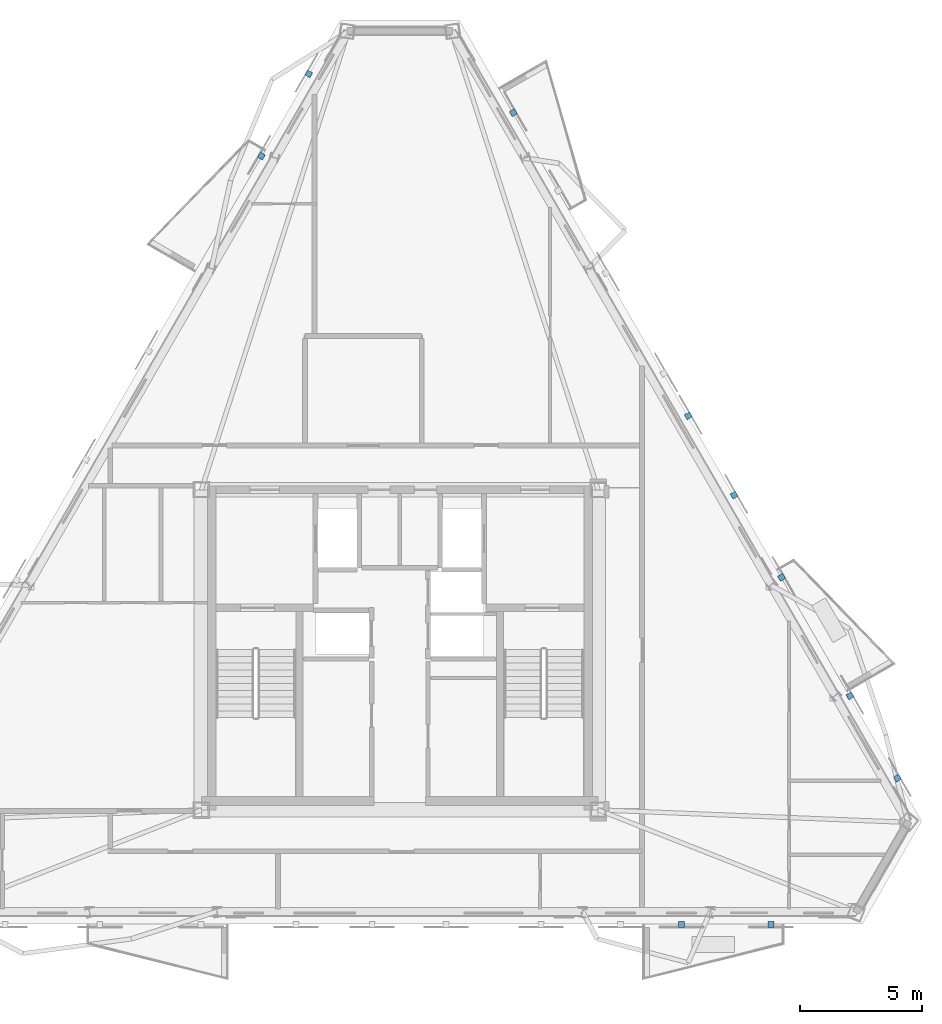
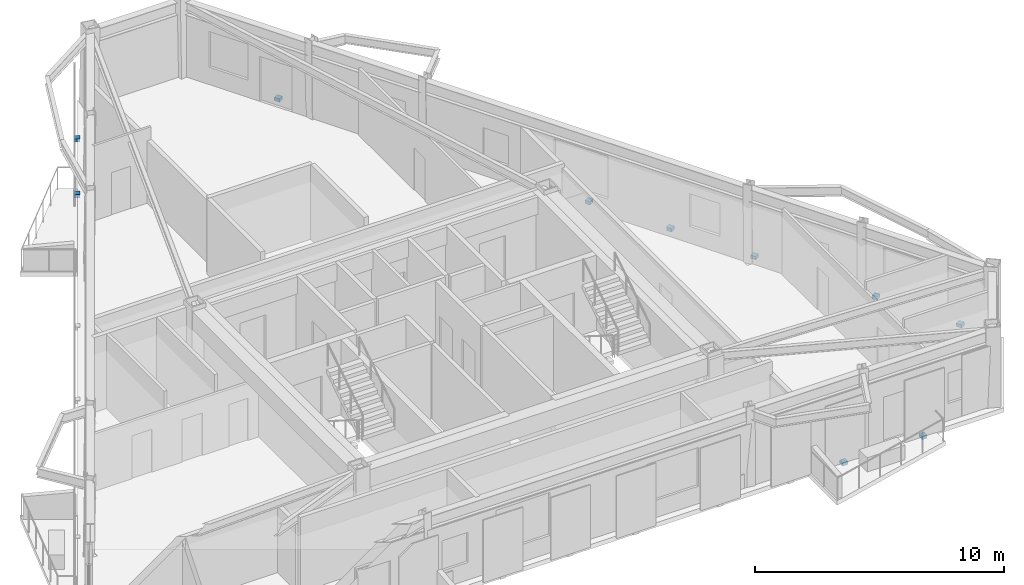
# One storey, part 6 of 9: 10 discrete accessories.
"""IFC4 building model written with IfcOpenShell, lengths in metres."""

from ifc_helpers import new_model, si_unit, direction, frame, origin, origin_2d, place, context, subcontext, project, spatial, rectangle, extrude, element, save


model = new_model("IFC4")

# Units and contexts
model_context = context("Model", 3, precision=1e-05, world=origin(), true_north=direction((0.0, 1.0)))
body_context = subcontext(model_context, "Body", "Model", "MODEL_VIEW")
ifc_project = project(units=[si_unit("LENGTHUNIT", "METRE"), si_unit("AREAUNIT", "SQUARE_METRE"), si_unit("VOLUMEUNIT", "CUBIC_METRE"), si_unit("PLANEANGLEUNIT", "RADIAN"), si_unit("MASSUNIT", "GRAM", prefix="KILO")], contexts=[model_context])

# Site, building, storey
site_placement = place(None, origin())
site = spatial("IfcSite", under=ifc_project, at=site_placement, CompositionType="ELEMENT")
building_placement = place(site_placement, origin())
building = spatial("IfcBuilding", under=site, at=building_placement, Name="Oramaril Tower", CompositionType="ELEMENT")
storey_placement = place(building_placement, frame((0.0, 0.0, 285.0)))
storey = spatial("IfcBuildingStorey", under=building, at=storey_placement, Name="L75", CompositionType="ELEMENT", Elevation=285.0)

# Discrete accessories
for number, where, z_axis, x_axis, name in (
    (1, (49.076904296875, 6.289794921875, -0.14013671875), (0.0, 0.0, 1.0), (1.0, 0.0, 0.0), "L75 Solar Screen Slab Bracket"),
    (2, (52.75048828125, 6.289794921875, -0.14013671875), (0.0, 0.0, 1.0), (1.0, 0.0, 0.0), "L75 Solar Screen Slab Bracket"),
    (3, (53.18505859375, 20.55322265625, -0.14013671875), (0.0, 0.0, 1.0), (-0.5, 0.866025403784, 0.0), "L75 Solar Screen Slab Bracket"),
    (4, (51.235107421875, 23.9306640625, -0.14013671875), (0.0, 0.0, 1.0), (-0.5, 0.866025403784, 0.0), "L75 Solar Screen Slab Bracket"),
    (5, (49.352783203125, 27.190673828125, -0.14013671875), (0.0, 0.0, 1.0), (-0.5, 0.866025403784, 0.0), "L75 Solar Screen Slab Bracket"),
    (6, (57.94677734375, 12.3056640625, -0.14013671875), (0.0, 0.0, 1.0), (-0.5, 0.866025403784, 0.0), "L75 Solar Screen Slab Bracket"),
    (7, (55.99658203125, 15.68310546875, -0.14013671875), (0.0, 0.0, 1.0), (-0.5, 0.866025403784, 0.0), "L75 Solar Screen Slab Bracket"),
    (8, (42.161376953125, 39.64697265625, -0.14013671875), (0.0, 0.0, 1.0), (-0.5, 0.866025403784, 0.0), "L75 Solar Screen Slab Bracket"),
    (9, (33.759521484375, 41.24169921875, -0.14013671875), (0.0, 0.0, 1.0), (-0.5, -0.866025403784, 0.0), "L75 Solar Screen Slab Bracket"),
    (10, (31.809326171875, 37.864013671875, -0.14013671875), (0.0, 0.0, 1.0), (-0.5, -0.866025403784, 0.0), "L75 Solar Screen Slab Bracket"),
):
    element("IfcDiscreteAccessory", number, at=place(storey_placement, frame(where, z_axis=z_axis, x_axis=x_axis)), inside=storey, Name=name, PredefinedType="BRACKET", context=body_context, shape_type="SweptSolid", body=[
        extrude(rectangle(XDim=0.239990234375, YDim=0.239990234375, at=origin_2d()), origin(), (0.0, 0.0, 1.0), 0.159912109375),
    ])

save(model, "model.ifc")
